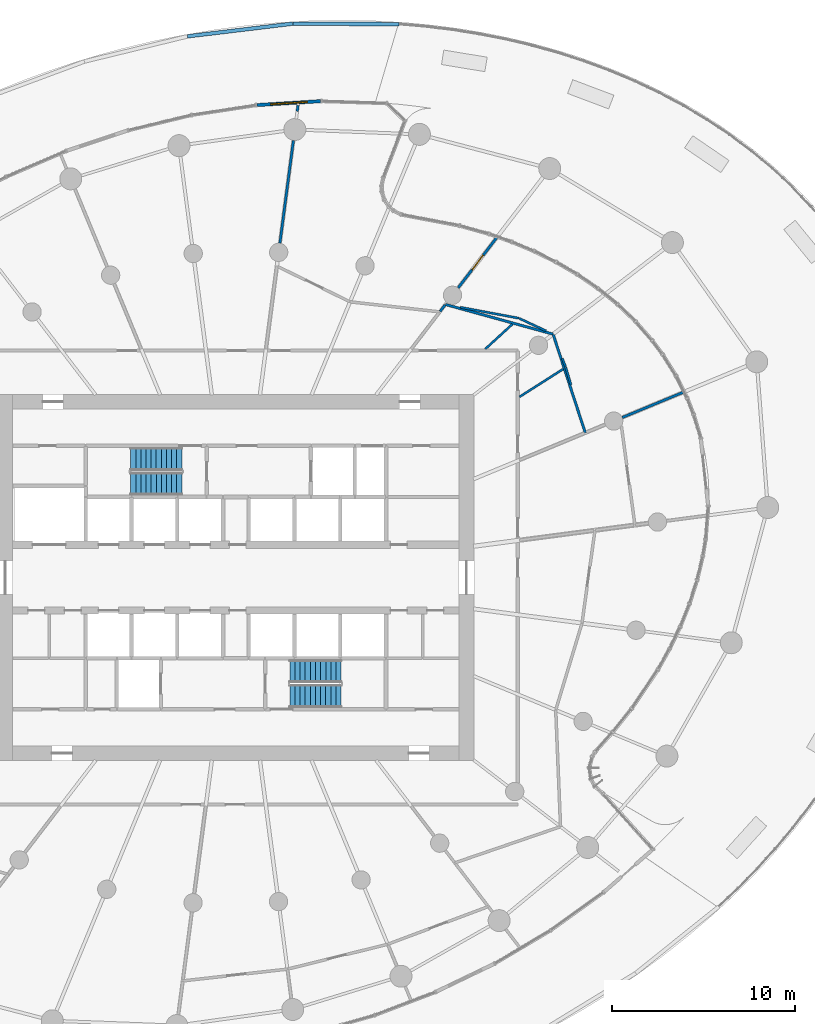
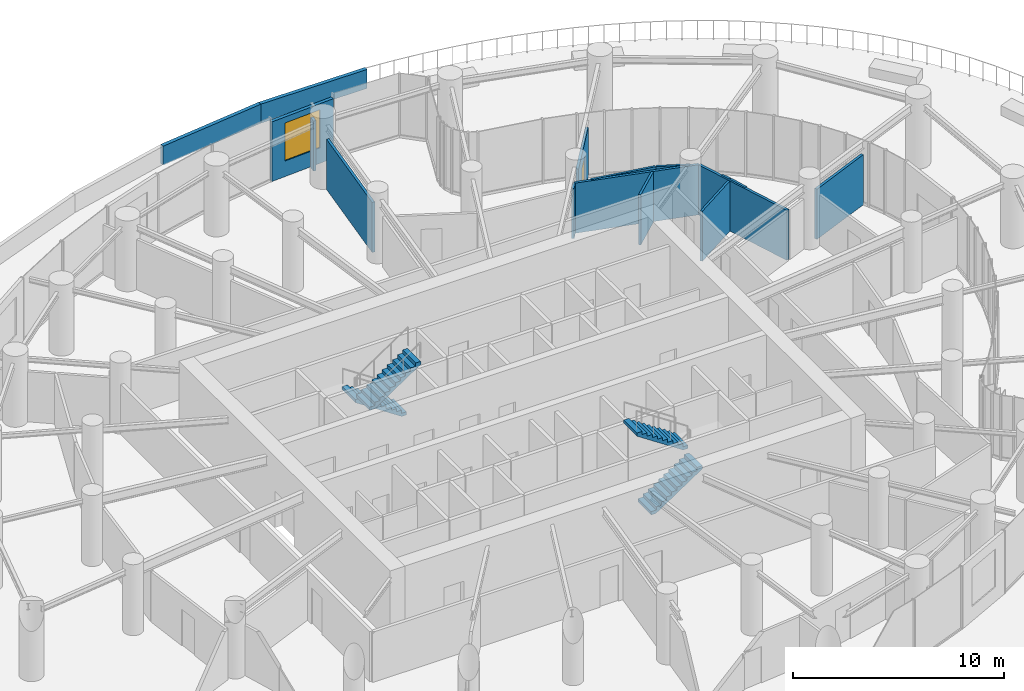
# One storey, part 19 of 24: 16 walls, 4 stair flights, 1 door, 1 window, 2 openings, 2 elements without a shape of their own.
"""IFC4 building model written with IfcOpenShell, lengths in metres."""

from ifc_helpers import new_model, si_unit, direction, frame, frame_2d, origin, place, context, subcontext, project, spatial, line, indexed_curve, rectangle, outline, extrude, source, transform, mapped, material, layer, layer_set, type_object, element, fill, aggregate, save


model = new_model("IFC4")

# Units and contexts
model_context = context("Model", 3, precision=1e-05, world=origin(), true_north=direction((0.0, 1.0)))
body_context = subcontext(model_context, "Body", "Model", "MODEL_VIEW")
ifc_project = project(units=[si_unit("LENGTHUNIT", "METRE"), si_unit("AREAUNIT", "SQUARE_METRE"), si_unit("VOLUMEUNIT", "CUBIC_METRE"), si_unit("PLANEANGLEUNIT", "RADIAN"), si_unit("MASSUNIT", "GRAM", prefix="KILO")], contexts=[model_context])

# Site, building, storey
site_placement = place(None, origin())
site = spatial("IfcSite", under=ifc_project, at=site_placement, CompositionType="ELEMENT")
building_placement = place(site_placement, origin())
building = spatial("IfcBuilding", under=site, at=building_placement, Name="Spindrift Exchange Tower", CompositionType="ELEMENT")
storey_placement = place(building_placement, frame((0.0, 0.0, 79.800048828125)))
storey = spatial("IfcBuildingStorey", under=building, at=storey_placement, Name="L18", CompositionType="ELEMENT", Elevation=79.800048828125)

# Walls
ifc_material_1 = material(Name="Concrete 40 MPa", Category="concrete")
ifc_layer_1 = layer(ifc_material_1, 0.199951171875)
ifc_layer_set_1 = layer_set([ifc_layer_1], Name="LEDGE PARAPET 1100")
wall_type_1 = type_object("IfcWallType", Name="LEDGE PARAPET 1100", PredefinedType="PARAPET", material=ifc_layer_set_1)
wall_1_placement = place(storey_placement, frame((49.355224609375, 77.567138671875, 0.0), z_axis=(0.0, 0.0, 1.0), x_axis=(0.992808911084, 0.119709924705, 0.0)))
element("IfcWall", 1, at=wall_1_placement, inside=storey, type_object=wall_type_1, Name="L18 Ledge Parapet 24", PredefinedType="PARAPET", context=body_context, shape_type="SweptSolid", body=[
    extrude(rectangle(XDim=5.796142578125, YDim=0.199951171875, at=frame_2d((2.89794921875, 0.0))), origin(), (0.0, 0.0, 1.0), 1.099853515625),
])
wall_2_placement = place(storey_placement, frame((55.109619140625, 78.260986328125, 0.0), z_axis=(0.0, 0.0, 1.0), x_axis=(0.99998785468, -0.004928538649, 0.0)))
element("IfcWall", 2, at=wall_2_placement, inside=storey, type_object=wall_type_1, Name="L18 Ledge Parapet 25", PredefinedType="PARAPET", context=body_context, shape_type="SweptSolid", body=[
    extrude(rectangle(XDim=5.795654296875, YDim=0.199951171875, at=frame_2d((2.89794921875, 0.0))), origin(), (0.0, 0.0, 1.0), 1.099853515625),
])

# Wall, opening, window
ifc_material_2 = material(Name="Bronze anodised aluminium frame with fritted laminated glass spandrel", Category="aluminium")
ifc_layer_2 = layer(ifc_material_2, 0.179931640625)
ifc_layer_set_2 = layer_set([ifc_layer_2], Name="UNITISED FRAME WALL TO BEAM SOFFIT")
wall_type_2 = type_object("IfcWallType", Name="UNITISED FRAME WALL TO BEAM SOFFIT", PredefinedType="STANDARD", material=ifc_layer_set_2)
wall_3_placement = place(storey_placement, frame((56.633544921875, 74.027099609375, 0.0), z_axis=(0.0, 0.0, 1.0), x_axis=(-0.998087787894, -0.061812358449, 0.0)))
wall_3 = element("IfcWall", 3, at=wall_3_placement, inside=storey, type_object=wall_type_2, Name="L18 Frame Wall 2", PredefinedType="STANDARD", context=body_context, shape_type="SweptSolid", body=[
    extrude(rectangle(XDim=3.491455078125, YDim=0.179931640625, at=frame_2d((1.74560546875, 0.0))), origin(), (0.0, 0.0, 1.0), 3.447998046875),
])
opening_1_placement = place(wall_3_placement, frame((0.745849609375, 0.0, 0.89990234375)))
opening_1 = element("IfcOpeningElement", 4, at=opening_1_placement, cuts=wall_3, Name="Opening WV18-01", PredefinedType="OPENING", context=body_context, shape_type="SweptSolid", body=[
    extrude(rectangle(XDim=2.0, YDim=2.199951171875, at=frame_2d((1.0, 1.10009765625))), frame((0.0, 0.099853515625, 0.0), z_axis=(0.0, -1.0, 0.0), x_axis=(1.0, 0.0, 0.0)), (0.0, 0.0, 1.0), 0.199951171875),
])
ifc_material_3 = material(Name="Clear laminated low-iron glass in bronze frame", Category="glass")
window_type = type_object("IfcWindowType", Name="OPERABLE CLEAR VENT 2000X2200", PartitioningType="SINGLE_PANEL", PredefinedType="WINDOW", material=ifc_material_3)
shared_shape_1 = source(origin(), body_context, "Body", "SweptSolid", [
    extrude(rectangle(XDim=2.0, YDim=2.199951171875, at=frame_2d((1.0, 1.10009765625))), frame((0.0, 0.030029296875, 0.0), z_axis=(0.0, -1.0, 0.0), x_axis=(1.0, 0.0, 0.0)), (0.0, 0.0, 1.0), 0.06005859375),
])
window_placement = place(opening_1_placement, origin())
window = element("IfcWindow", 5, at=window_placement, inside=storey, type_object=window_type, Name="L18 Operable Vent WV18-01", OverallHeight=2.199951171875, OverallWidth=2.0, PartitioningType="SINGLE_PANEL", PredefinedType="WINDOW", context=body_context, shape_type="MappedRepresentation", body=[
    mapped(shared_shape_1, transform((0.0, 0.0, 0.0), scale=1.0)),
])
fill(opening_1, window)

# Walls
ifc_material_4 = material(Name="Fire-rated plasterboard partition", Category="gypsum")
ifc_layer_3 = layer(ifc_material_4, 0.139892578125)
ifc_layer_set_3 = layer_set([ifc_layer_3], Name="W-PART-140")
wall_type_3 = type_object("IfcWallType", Name="W-PART-140", PredefinedType="PARTITIONING", material=ifc_layer_set_3)
wall_4_placement = place(storey_placement, frame((69.330078125, 61.298095703125, 0.0), z_axis=(0.0, 0.0, 1.0), x_axis=(-0.964096881201, 0.265550755334, 0.0)))
element("IfcWall", 6, at=wall_4_placement, inside=storey, type_object=wall_type_3, Name="L18 Partition wall 70", PredefinedType="PARTITIONING", context=body_context, shape_type="SweptSolid", body=[
    extrude(rectangle(XDim=6.101806640625, YDim=0.139892578125, at=frame_2d((3.05078125, 0.0))), origin(), (0.0, 0.0, 1.0), 2.89990234375),
])
wall_5_placement = place(storey_placement, frame((71.088623046875, 55.90673828125, 0.0), z_axis=(0.0, 0.0, 1.0), x_axis=(-0.310079283642, 0.950710701452, 0.0)))
element("IfcWall", 7, at=wall_5_placement, inside=storey, type_object=wall_type_3, Name="L18 Partition wall 76", PredefinedType="PARTITIONING", context=body_context, shape_type="SweptSolid", body=[
    extrude(rectangle(XDim=5.640625, YDim=0.139892578125, at=frame_2d((2.8203125, 0.0))), origin(), (0.0, 0.0, 1.0), 2.89990234375),
])
wall_6_placement = place(storey_placement, frame((73.10595703125, 56.7421875, 0.0), z_axis=(0.0, 0.0, 1.0), x_axis=(0.923857672407, 0.382736203062, 0.0)))
element("IfcWall", 8, at=wall_6_placement, inside=storey, type_object=wall_type_3, Name="L18 Partition wall 95", PredefinedType="PARTITIONING", context=body_context, shape_type="SweptSolid", body=[
    extrude(rectangle(XDim=3.6083984375, YDim=0.139892578125, at=frame_2d((1.80419921875, 0.0))), origin(), (0.0, 0.0, 1.0), 2.89990234375),
])

# Wall, opening, door
wall_7_placement = place(storey_placement, frame((66.250732421875, 66.572021484375, 0.0), z_axis=(0.0, 0.0, 1.0), x_axis=(-0.608759983823, -0.793354449219, 0.0)))
wall_7 = element("IfcWall", 9, at=wall_7_placement, inside=storey, type_object=wall_type_3, Name="L18 Partition wall 96", PredefinedType="PARTITIONING", context=body_context, shape_type="SweptSolid", body=[
    extrude(rectangle(XDim=3.4638671875, YDim=0.139892578125, at=frame_2d((1.73193359375, 0.0))), origin(), (0.0, 0.0, 1.0), 2.89990234375),
])
opening_2_placement = place(wall_7_placement, frame((1.213623046875, 0.0, 0.0)))
opening_2 = element("IfcOpeningElement", 10, at=opening_2_placement, cuts=wall_7, Name="Opening L18-D31", PredefinedType="OPENING", context=body_context, shape_type="SweptSolid", body=[
    extrude(rectangle(XDim=1.0, YDim=2.10009765625, at=frame_2d((0.5, 1.050048828125))), frame((0.0, 0.079833984375, 0.0), z_axis=(0.0, -1.0, 0.0), x_axis=(1.0, 0.0, 0.0)), (0.0, 0.0, 1.0), 0.159912109375),
])
ifc_material_5 = material(Name="Timber-core fire door", Category="wood")
door_type = type_object("IfcDoorType", Name="DR-ROOM-1000", OperationType="NOTDEFINED", PredefinedType="DOOR", material=ifc_material_5)
shared_shape_2 = source(origin(), body_context, "Body", "SweptSolid", [
    extrude(rectangle(XDim=1.0, YDim=2.10009765625, at=frame_2d((0.5, 1.050048828125))), frame((0.0, 0.02490234375, 0.0), z_axis=(0.0, -1.0, 0.0), x_axis=(1.0, 0.0, 0.0)), (0.0, 0.0, 1.0), 0.050048828125),
])
door_placement = place(opening_2_placement, origin())
door = element("IfcDoor", 11, at=door_placement, inside=storey, type_object=door_type, Name="L18 Door 31", OperationType="SINGLE_SWING_RIGHT", OverallHeight=2.10009765625, OverallWidth=1.0, PredefinedType="DOOR", context=body_context, shape_type="MappedRepresentation", body=[
    mapped(shared_shape_2, transform((0.0, 0.0, 0.0), scale=1.0)),
])
fill(opening_2, door)

# Walls
wall_8_placement = place(storey_placement, frame((63.154541015625, 62.536865234375, 0.0), z_axis=(0.0, 0.0, 1.0), x_axis=(0.608795024316, 0.793327560575, 0.0)))
element("IfcWall", 12, at=wall_8_placement, inside=storey, type_object=wall_type_3, Name="L18 Partition wall 126", PredefinedType="PARTITIONING", context=body_context, shape_type="SweptSolid", body=[
    extrude(rectangle(XDim=0.451171875, YDim=0.139892578125, at=frame_2d((0.2255859375, 0.0))), origin(), (0.0, 0.0, 1.0), 2.89990234375),
])
ifc_layer_4 = layer(ifc_material_4, 0.139892578125)
ifc_layer_set_4 = layer_set([ifc_layer_4], Name="W-PLANT-140")
wall_type_4 = type_object("IfcWallType", Name="W-PLANT-140", PredefinedType="PARTITIONING", material=ifc_layer_set_4)
wall_9_placement = place(storey_placement, frame((54.405029296875, 66.267333984375, 0.0), z_axis=(0.0, 0.0, 1.0), x_axis=(0.130510314557, 0.991446951578, 0.0)))
element("IfcWall", 13, at=wall_9_placement, inside=storey, type_object=wall_type_4, Name="L18 Partition wall 78", PredefinedType="PARTITIONING", context=body_context, shape_type="SweptSolid", body=[
    extrude(rectangle(XDim=5.65869140625, YDim=0.139892578125, at=frame_2d((2.829345703125, 0.0))), origin(), (0.0, 0.0, 1.0), 2.89990234375),
])
wall_10_placement = place(storey_placement, frame((55.353515625, 73.47265625, 0.0), z_axis=(0.0, 0.0, 1.0), x_axis=(0.130608081992, 0.99143407694, 0.0)))
element("IfcWall", 14, at=wall_10_placement, inside=storey, type_object=wall_type_4, Name="L18 Partition wall 120", PredefinedType="PARTITIONING", context=body_context, shape_type="SweptSolid", body=[
    extrude(rectangle(XDim=0.3291015625, YDim=0.139892578125, at=frame_2d((0.16455078125, 0.0))), origin(), (0.0, 0.0, 1.0), 2.89990234375),
])
ifc_layer_5 = layer(ifc_material_4, 0.1201171875)
ifc_layer_set_5 = layer_set([ifc_layer_5], Name="W-WET-120")
wall_type_5 = type_object("IfcWallType", Name="W-WET-120", PredefinedType="PARTITIONING", material=ifc_layer_set_5)
wall_11_placement = place(storey_placement, frame((67.461181640625, 62.167724609375, 0.0), z_axis=(0.0, 0.0, 1.0), x_axis=(-0.982952931866, 0.183857373354, 0.0)))
element("IfcWall", 15, at=wall_11_placement, inside=storey, type_object=wall_type_5, Name="L18 Partition wall 129", PredefinedType="PARTITIONING", context=body_context, shape_type="SweptSolid", body=[
    extrude(rectangle(XDim=3.248046875, YDim=0.1201171875, at=frame_2d((1.6240234375, 0.0))), origin(), (0.0, 0.0, 1.0), 2.89990234375),
])
wall_12_placement = place(storey_placement, frame((70.30908203125, 58.5224609375, 0.0), z_axis=(0.0, 0.0, 1.0), x_axis=(-0.285557601157, 0.958361547863, 0.0)))
element("IfcWall", 16, at=wall_12_placement, inside=storey, type_object=wall_type_5, Name="L18 Partition wall 130", PredefinedType="PARTITIONING", context=body_context, shape_type="SweptSolid", body=[
    extrude(rectangle(XDim=1.001220703125, YDim=0.1201171875, at=frame_2d((0.50048828125, 0.0))), origin(), (0.0, 0.0, 1.0), 2.89990234375),
])
wall_13_placement = place(storey_placement, frame((67.489990234375, 57.8681640625, 0.0), z_axis=(0.0, 0.0, 1.0), x_axis=(0.843380997748, 0.537316008172, 0.0)))
element("IfcWall", 17, at=wall_13_placement, inside=storey, type_object=wall_type_5, Name="L18 Partition wall 131", PredefinedType="PARTITIONING", context=body_context, shape_type="SweptSolid", body=[
    extrude(rectangle(XDim=2.83251953125, YDim=0.1201171875, at=frame_2d((1.416259765625, 0.0))), origin(), (0.0, 0.0, 1.0), 2.89990234375),
])
wall_14_placement = place(storey_placement, frame((65.63037109375, 60.489990234375, 0.0), z_axis=(0.0, 0.0, 1.0), x_axis=(0.737245484637, 0.675624966518, 0.0)))
element("IfcWall", 18, at=wall_14_placement, inside=storey, type_object=wall_type_5, Name="L18 Partition wall 132", PredefinedType="PARTITIONING", context=body_context, shape_type="SweptSolid", body=[
    extrude(rectangle(XDim=1.996826171875, YDim=0.1201171875, at=frame_2d((0.99853515625, 0.0))), origin(), (0.0, 0.0, 1.0), 2.89990234375),
])
wall_15_placement = place(storey_placement, frame((68.947998046875, 61.475830078125, 0.0), z_axis=(0.0, 0.0, 1.0), x_axis=(-0.906632077419, 0.421922121007, 0.0)))
element("IfcWall", 19, at=wall_15_placement, inside=storey, type_object=wall_type_5, Name="L18 Partition wall 133", PredefinedType="PARTITIONING", context=body_context, shape_type="SweptSolid", body=[
    extrude(rectangle(XDim=1.60986328125, YDim=0.1201171875, at=frame_2d((0.804931640625, 0.0))), origin(), (0.0, 0.0, 1.0), 2.89990234375),
])
wall_16_placement = place(storey_placement, frame((70.012451171875, 59.510009765625, 0.0), z_axis=(0.0, 0.0, 1.0), x_axis=(-0.356449461479, 0.934314605158, 0.0)))
element("IfcWall", 20, at=wall_16_placement, inside=storey, type_object=wall_type_5, Name="L18 Partition wall 134", PredefinedType="PARTITIONING", context=body_context, shape_type="SweptSolid", body=[
    extrude(rectangle(XDim=0.49169921875, YDim=0.1201171875, at=frame_2d((0.245849609375, 0.0))), origin(), (0.0, 0.0, 1.0), 2.89990234375),
])

# Stair, stair flights
ifc_material_6 = material(Name="Concrete 50 MPa", Category="concrete")
stair_type = type_object("IfcStairType", Name="ST-1250-R186", PredefinedType="HALF_TURN_STAIR", material=ifc_material_6)
stair_1_placement = place(storey_placement, origin())
stair_1 = element("IfcStair", 21, at=stair_1_placement, inside=storey, type_object=stair_type, Name="L18 Exit stair ST1", PredefinedType="HALF_TURN_STAIR")
stair_flight_type = type_object("IfcStairFlightType", Name="STF-1250-R186", PredefinedType="STRAIGHT", material=ifc_material_6)
stair_flight_1_placement = place(storey_placement, frame((49.050048828125, 54.47509765625, 0.0), z_axis=(0.0, 0.0, 1.0), x_axis=(-1.0, 0.0, 0.0)))
stair_flight_1 = element("IfcStairFlight", 22, at=stair_flight_1_placement, type_object=stair_flight_type, Name="ST1 flight 1", NumberOfRisers=11, NumberOfTreads=10, PredefinedType="STRAIGHT", RiserHeight=0.186363636, TreadLength=0.28, context=body_context, shape_type="SweptSolid", body=[
    extrude(outline(indexed_curve([(0.0, 0.0), (0.0, 0.1865234375), (0.2802734375, 0.1865234375), (0.2802734375, 0.373046875), (0.5595703125, 0.373046875), (0.5595703125, 0.5595703125), (0.83984375, 0.5595703125), (0.83984375, 0.7451171875), (1.1201171875, 0.7451171875), (1.1201171875, 0.931640625), (1.400390625, 0.931640625), (1.400390625, 1.1181640625), (1.6796875, 1.1181640625), (1.6796875, 1.3046875), (1.9599609375, 1.3046875), (1.9599609375, 1.4912109375), (2.240234375, 1.4912109375), (2.240234375, 1.677734375), (2.51953125, 1.677734375), (2.51953125, 1.86328125), (2.7998046875, 1.86328125), (2.7998046875, 2.0498046875), (2.7998046875, 1.68359375), (0.2705078125, 0.0)], segments=[line(1, 2, 3, 4, 5, 6, 7, 8, 9, 10, 11, 12, 13, 14, 15, 16, 17, 18, 19, 20, 21, 22, 23, 24, 1)], self_intersect=False)), frame((0.0, 0.625, 0.0), z_axis=(0.0, -1.0, 0.0), x_axis=(1.0, 0.0, 0.0)), (0.0, 0.0, 1.0), 1.25),
])
stair_flight_2_placement = place(storey_placement, frame((46.25, 53.125, 2.050048828125), z_axis=(0.0, 0.0, 1.0), x_axis=(1.0, 0.0, 0.0)))
stair_flight_2 = element("IfcStairFlight", 23, at=stair_flight_2_placement, type_object=stair_flight_type, Name="ST1 flight 2", NumberOfRisers=11, NumberOfTreads=10, PredefinedType="STRAIGHT", RiserHeight=0.186363636, TreadLength=0.28, context=body_context, shape_type="SweptSolid", body=[
    extrude(outline(indexed_curve([(0.0, 0.0), (0.0, 0.1865234375), (0.2802734375, 0.1865234375), (0.2802734375, 0.373046875), (0.5595703125, 0.373046875), (0.5595703125, 0.5595703125), (0.83984375, 0.5595703125), (0.83984375, 0.7451171875), (1.1201171875, 0.7451171875), (1.1201171875, 0.931640625), (1.400390625, 0.931640625), (1.400390625, 1.1181640625), (1.6796875, 1.1181640625), (1.6796875, 1.3046875), (1.9599609375, 1.3046875), (1.9599609375, 1.4912109375), (2.240234375, 1.4912109375), (2.240234375, 1.677734375), (2.51953125, 1.677734375), (2.51953125, 1.86328125), (2.7998046875, 1.86328125), (2.7998046875, 2.0498046875), (2.7998046875, 1.68359375), (0.2705078125, 0.0)], segments=[line(1, 2, 3, 4, 5, 6, 7, 8, 9, 10, 11, 12, 13, 14, 15, 16, 17, 18, 19, 20, 21, 22, 23, 24, 1)], self_intersect=False)), frame((0.0, 0.625, 0.0), z_axis=(0.0, -1.0, 0.0), x_axis=(1.0, 0.0, 0.0)), (0.0, 0.0, 1.0), 1.25),
])
aggregate(stair_1, [stair_flight_1, stair_flight_2])

stair_2_placement = place(storey_placement, origin())
stair_2 = element("IfcStair", 24, at=stair_2_placement, inside=storey, type_object=stair_type, Name="L18 Exit stair ST2", PredefinedType="HALF_TURN_STAIR")
stair_flight_3_placement = place(storey_placement, frame((54.949951171875, 41.52490234375, 0.0), z_axis=(0.0, 0.0, 1.0), x_axis=(1.0, 0.0, 0.0)))
stair_flight_3 = element("IfcStairFlight", 25, at=stair_flight_3_placement, type_object=stair_flight_type, Name="ST2 flight 1", NumberOfRisers=11, NumberOfTreads=10, PredefinedType="STRAIGHT", RiserHeight=0.186363636, TreadLength=0.28, context=body_context, shape_type="SweptSolid", body=[
    extrude(outline(indexed_curve([(0.0, 0.0), (0.0, 0.1865234375), (0.2802734375, 0.1865234375), (0.2802734375, 0.373046875), (0.5595703125, 0.373046875), (0.5595703125, 0.5595703125), (0.83984375, 0.5595703125), (0.83984375, 0.7451171875), (1.1201171875, 0.7451171875), (1.1201171875, 0.931640625), (1.400390625, 0.931640625), (1.400390625, 1.1181640625), (1.6796875, 1.1181640625), (1.6796875, 1.3046875), (1.9599609375, 1.3046875), (1.9599609375, 1.4912109375), (2.240234375, 1.4912109375), (2.240234375, 1.677734375), (2.51953125, 1.677734375), (2.51953125, 1.86328125), (2.7998046875, 1.86328125), (2.7998046875, 2.0498046875), (2.7998046875, 1.68359375), (0.2705078125, 0.0)], segments=[line(1, 2, 3, 4, 5, 6, 7, 8, 9, 10, 11, 12, 13, 14, 15, 16, 17, 18, 19, 20, 21, 22, 23, 24, 1)], self_intersect=False)), frame((0.0, 0.625, 0.0), z_axis=(0.0, -1.0, 0.0), x_axis=(1.0, 0.0, 0.0)), (0.0, 0.0, 1.0), 1.25),
])
stair_flight_4_placement = place(storey_placement, frame((57.75, 42.875, 2.050048828125), z_axis=(0.0, 0.0, 1.0), x_axis=(-1.0, 0.0, 0.0)))
stair_flight_4 = element("IfcStairFlight", 26, at=stair_flight_4_placement, type_object=stair_flight_type, Name="ST2 flight 2", NumberOfRisers=11, NumberOfTreads=10, PredefinedType="STRAIGHT", RiserHeight=0.186363636, TreadLength=0.28, context=body_context, shape_type="SweptSolid", body=[
    extrude(outline(indexed_curve([(0.0, 0.0), (0.0, 0.1865234375), (0.2802734375, 0.1865234375), (0.2802734375, 0.373046875), (0.5595703125, 0.373046875), (0.5595703125, 0.5595703125), (0.83984375, 0.5595703125), (0.83984375, 0.7451171875), (1.1201171875, 0.7451171875), (1.1201171875, 0.931640625), (1.400390625, 0.931640625), (1.400390625, 1.1181640625), (1.6796875, 1.1181640625), (1.6796875, 1.3046875), (1.9599609375, 1.3046875), (1.9599609375, 1.4912109375), (2.240234375, 1.4912109375), (2.240234375, 1.677734375), (2.51953125, 1.677734375), (2.51953125, 1.86328125), (2.7998046875, 1.86328125), (2.7998046875, 2.0498046875), (2.7998046875, 1.68359375), (0.2705078125, 0.0)], segments=[line(1, 2, 3, 4, 5, 6, 7, 8, 9, 10, 11, 12, 13, 14, 15, 16, 17, 18, 19, 20, 21, 22, 23, 24, 1)], self_intersect=False)), frame((0.0, 0.625, 0.0), z_axis=(0.0, -1.0, 0.0), x_axis=(1.0, 0.0, 0.0)), (0.0, 0.0, 1.0), 1.25),
])
aggregate(stair_2, [stair_flight_3, stair_flight_4])

save(model, "model.ifc")
